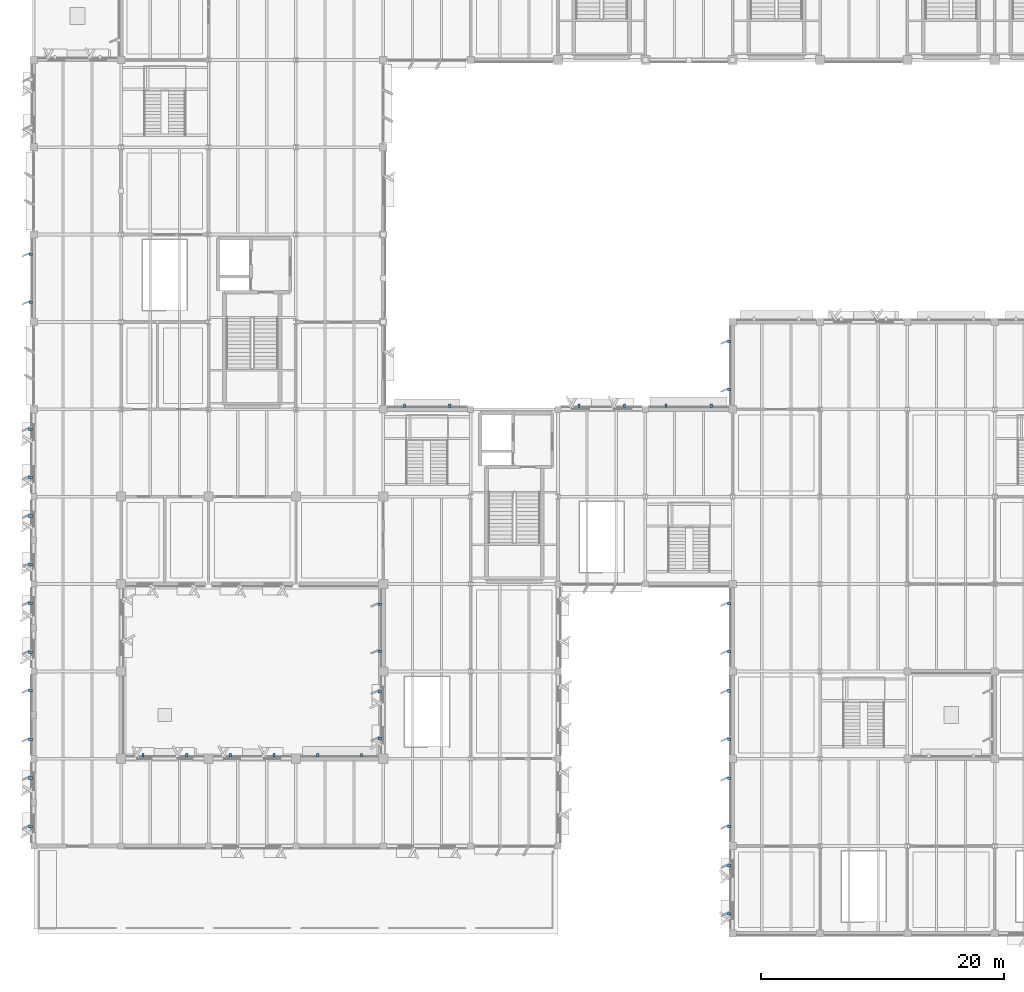
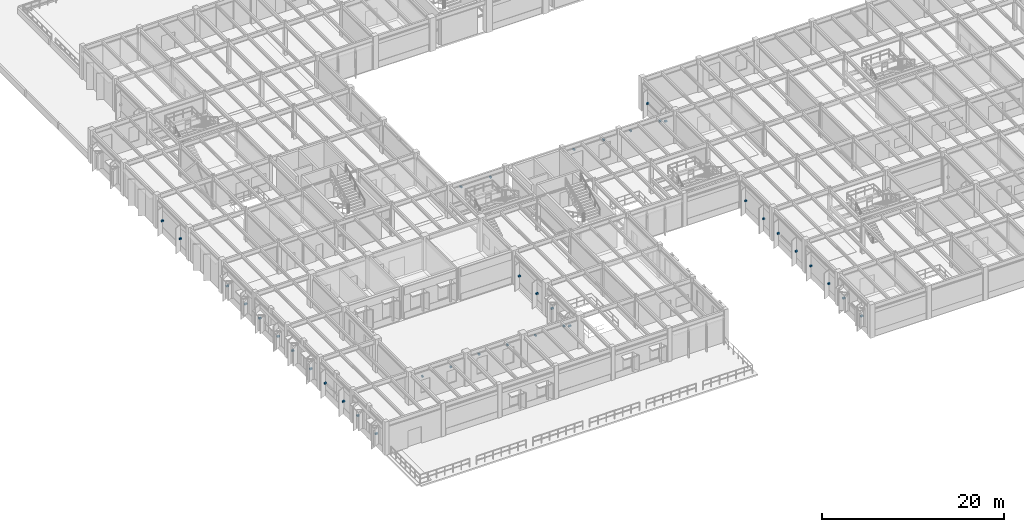
# One storey, part 45 of 92: 38 discrete accessories.
"""IFC4 building model written with IfcOpenShell, lengths in metres."""

from ifc_helpers import new_model, si_unit, direction, frame, origin, origin_2d, place, context, subcontext, project, spatial, rectangle, extrude, material, type_object, element, save


model = new_model("IFC4")

# Units and contexts
model_context = context("Model", 3, precision=1e-05, world=origin(), true_north=direction((0.0, 1.0)))
body_context = subcontext(model_context, "Body", "Model", "MODEL_VIEW")
ifc_project = project(units=[si_unit("LENGTHUNIT", "METRE"), si_unit("AREAUNIT", "SQUARE_METRE"), si_unit("VOLUMEUNIT", "CUBIC_METRE"), si_unit("PLANEANGLEUNIT", "RADIAN"), si_unit("MASSUNIT", "GRAM", prefix="KILO")], contexts=[model_context])

# Site, building, storey
site_placement = place(None, origin())
site = spatial("IfcSite", under=ifc_project, at=site_placement, CompositionType="ELEMENT")
building_placement = place(site_placement, origin())
building = spatial("IfcBuilding", under=site, at=building_placement, Name="Sillqori Civic Hall", CompositionType="ELEMENT")
storey_placement = place(building_placement, frame((0.0, 0.0, 5.39990234375)))
storey = spatial("IfcBuildingStorey", under=building, at=storey_placement, Name="L02", CompositionType="ELEMENT", Elevation=5.39990234375)

# Discrete accessories
ifc_material = material(Name="Steel ASTM A572 Grade 50", Category="steel")
discrete_accessory_type_1 = type_object("IfcDiscreteAccessoryType", Name="BRK-FAC-240", PredefinedType="BRACKET", material=ifc_material)
for number, where, z_axis, x_axis, name in (
    (1, (16.194091796875, 21.8798828125, 2.7001953125), (0.0, 0.0, 1.0), (1.0, 0.0, 0.0), "Sun-hood steel bracket L02-02-02-N.1"),
    (2, (19.805908203125, 21.8798828125, 2.7001953125), (0.0, 0.0, 1.0), (1.0, 0.0, 0.0), "Sun-hood steel bracket L02-02-02-N.2"),
    (3, (23.39404296875, 21.8798828125, 3.14990234375), (0.0, 0.0, 1.0), (1.0, 0.0, 0.0), "Sun-hood steel bracket L02-03-02-N.1"),
    (4, (27.006103515625, 21.8798828125, 3.14990234375), (0.0, 0.0, 1.0), (1.0, 0.0, 0.0), "Sun-hood steel bracket L02-03-02-N.2"),
    (5, (30.593994140625, 21.8798828125, 3.14990234375), (0.0, 0.0, 1.0), (1.0, 0.0, 0.0), "Sun-hood steel bracket L02-04-02-N.1"),
    (6, (34.2060546875, 21.8798828125, 3.14990234375), (0.0, 0.0, 1.0), (1.0, 0.0, 0.0), "Sun-hood steel bracket L02-04-02-N.2"),
    (7, (37.762939453125, 50.679931640625, 3.14990234375), (0.0, 0.0, 1.0), (1.0, 0.0, 0.0), "Sun-hood steel bracket L02-05-06-N.1"),
    (8, (41.487060546875, 50.679931640625, 3.14990234375), (0.0, 0.0, 1.0), (1.0, 0.0, 0.0), "Sun-hood steel bracket L02-05-06-N.2"),
    (9, (52.1240234375, 50.679931640625, 3.14990234375), (0.0, 0.0, 1.0), (1.0, 0.0, 0.0), "Sun-hood steel bracket L02-07-06-N.1"),
    (10, (55.8759765625, 50.679931640625, 3.14990234375), (0.0, 0.0, 1.0), (1.0, 0.0, 0.0), "Sun-hood steel bracket L02-07-06-N.2"),
    (11, (59.31298828125, 50.679931640625, 3.14990234375), (0.0, 0.0, 1.0), (1.0, 0.0, 0.0), "Sun-hood steel bracket L02-08-06-N.1"),
    (12, (63.037109375, 50.679931640625, 3.14990234375), (0.0, 0.0, 1.0), (1.0, 0.0, 0.0), "Sun-hood steel bracket L02-08-06-N.2"),
):
    element("IfcDiscreteAccessory", number, at=place(storey_placement, frame(where, z_axis=z_axis, x_axis=x_axis)), inside=storey, type_object=discrete_accessory_type_1, Name=name, PredefinedType="BRACKET", context=body_context, shape_type="SweptSolid", body=[
        extrude(rectangle(XDim=0.179931640625, YDim=0.280029296875, at=origin_2d()), origin(), (0.0, 0.0, 1.0), 0.179931640625),
    ])
discrete_accessory_type_2 = type_object("IfcDiscreteAccessoryType", Name="BRK-FIN-280", PredefinedType="BRACKET", material=ifc_material)
for number, where, z_axis, x_axis, name in (
    (13, (6.909912109375, 15.989990234375, 1.78369140625), (0.0, 0.0, 1.0), (0.0, 1.0, 0.0), "Brise-soleil fin steel bracket L02-01-02-W.1"),
    (14, (6.909912109375, 20.010009765625, 1.78369140625), (0.0, 0.0, 1.0), (0.0, 1.0, 0.0), "Brise-soleil fin steel bracket L02-01-02-W.2"),
    (15, (6.909912109375, 23.18994140625, 1.78369140625), (0.0, 0.0, 1.0), (0.0, 1.0, 0.0), "Brise-soleil fin steel bracket L02-01-03-W.1"),
    (16, (6.909912109375, 27.2099609375, 1.78369140625), (0.0, 0.0, 1.0), (0.0, 1.0, 0.0), "Brise-soleil fin steel bracket L02-01-03-W.2"),
    (17, (6.909912109375, 30.389892578125, 1.78369140625), (0.0, 0.0, 1.0), (0.0, 1.0, 0.0), "Brise-soleil fin steel bracket L02-01-04-W.1"),
    (18, (6.909912109375, 34.409912109375, 1.78369140625), (0.0, 0.0, 1.0), (0.0, 1.0, 0.0), "Brise-soleil fin steel bracket L02-01-04-W.2"),
    (19, (6.909912109375, 37.590087890625, 1.78369140625), (0.0, 0.0, 1.0), (0.0, 1.0, 0.0), "Brise-soleil fin steel bracket L02-01-05-W.1"),
    (20, (6.909912109375, 41.610107421875, 1.78369140625), (0.0, 0.0, 1.0), (0.0, 1.0, 0.0), "Brise-soleil fin steel bracket L02-01-05-W.2"),
    (21, (6.909912109375, 44.780029296875, 1.78369140625), (0.0, 0.0, 1.0), (0.0, 1.0, 0.0), "Brise-soleil fin steel bracket L02-01-06-W.1"),
    (22, (6.909912109375, 48.77001953125, 1.78369140625), (0.0, 0.0, 1.0), (0.0, 1.0, 0.0), "Brise-soleil fin steel bracket L02-01-06-W.2"),
    (23, (6.949951171875, 59.219970703125, 1.78369140625), (0.0, 0.0, 1.0), (0.0, 1.0, 0.0), "Brise-soleil fin steel bracket L02-01-08-W.1"),
    (24, (6.949951171875, 63.179931640625, 1.78369140625), (0.0, 0.0, 1.0), (0.0, 1.0, 0.0), "Brise-soleil fin steel bracket L02-01-08-W.2"),
    (25, (35.7099609375, 23.264892578125, 1.78369140625), (0.0, 0.0, 1.0), (0.0, 1.0, 0.0), "Brise-soleil fin steel bracket L02-05-03-W.1"),
    (26, (35.7099609375, 27.135009765625, 1.78369140625), (0.0, 0.0, 1.0), (0.0, 1.0, 0.0), "Brise-soleil fin steel bracket L02-05-03-W.2"),
    (27, (35.7099609375, 30.465087890625, 1.78369140625), (0.0, 0.0, 1.0), (0.0, 1.0, 0.0), "Brise-soleil fin steel bracket L02-05-04-W.1"),
    (28, (35.7099609375, 34.3349609375, 1.78369140625), (0.0, 0.0, 1.0), (0.0, 1.0, 0.0), "Brise-soleil fin steel bracket L02-05-04-W.2"),
    (29, (64.52001953125, 8.820068359375, 1.78369140625), (0.0, 0.0, 1.0), (0.0, 1.0, 0.0), "Brise-soleil fin steel bracket L02-09-01-W.1"),
    (30, (64.52001953125, 12.780029296875, 1.78369140625), (0.0, 0.0, 1.0), (0.0, 1.0, 0.0), "Brise-soleil fin steel bracket L02-09-01-W.2"),
    (31, (64.52001953125, 16.02001953125, 1.78369140625), (0.0, 0.0, 1.0), (0.0, 1.0, 0.0), "Brise-soleil fin steel bracket L02-09-02-W.1"),
    (32, (64.52001953125, 19.97998046875, 1.78369140625), (0.0, 0.0, 1.0), (0.0, 1.0, 0.0), "Brise-soleil fin steel bracket L02-09-02-W.2"),
    (33, (64.52001953125, 23.219970703125, 1.78369140625), (0.0, 0.0, 1.0), (0.0, 1.0, 0.0), "Brise-soleil fin steel bracket L02-09-03-W.1"),
    (34, (64.52001953125, 27.179931640625, 1.78369140625), (0.0, 0.0, 1.0), (0.0, 1.0, 0.0), "Brise-soleil fin steel bracket L02-09-03-W.2"),
    (35, (64.52001953125, 30.419921875, 1.78369140625), (0.0, 0.0, 1.0), (0.0, 1.0, 0.0), "Brise-soleil fin steel bracket L02-09-04-W.1"),
    (36, (64.52001953125, 34.3798828125, 1.78369140625), (0.0, 0.0, 1.0), (0.0, 1.0, 0.0), "Brise-soleil fin steel bracket L02-09-04-W.2"),
    (37, (64.52001953125, 52.02001953125, 1.78369140625), (0.0, 0.0, 1.0), (0.0, 1.0, 0.0), "Brise-soleil fin steel bracket L02-09-07-W.1"),
    (38, (64.52001953125, 55.97998046875, 1.78369140625), (0.0, 0.0, 1.0), (0.0, 1.0, 0.0), "Brise-soleil fin steel bracket L02-09-07-W.2"),
):
    element("IfcDiscreteAccessory", number, at=place(storey_placement, frame(where, z_axis=z_axis, x_axis=x_axis)), inside=storey, type_object=discrete_accessory_type_2, Name=name, PredefinedType="BRACKET", context=body_context, shape_type="SweptSolid", body=[
        extrude(rectangle(XDim=0.219970703125, YDim=0.320068359375, at=origin_2d()), origin(), (0.0, 0.0, 1.0), 0.199951171875),
    ])

save(model, "model.ifc")
